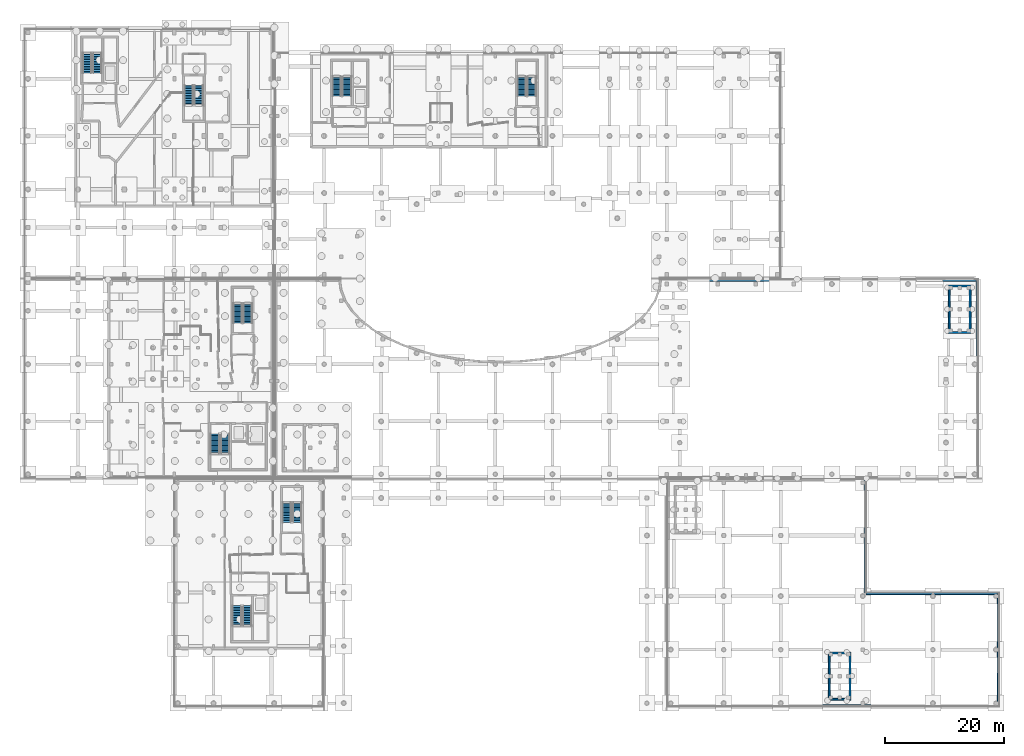
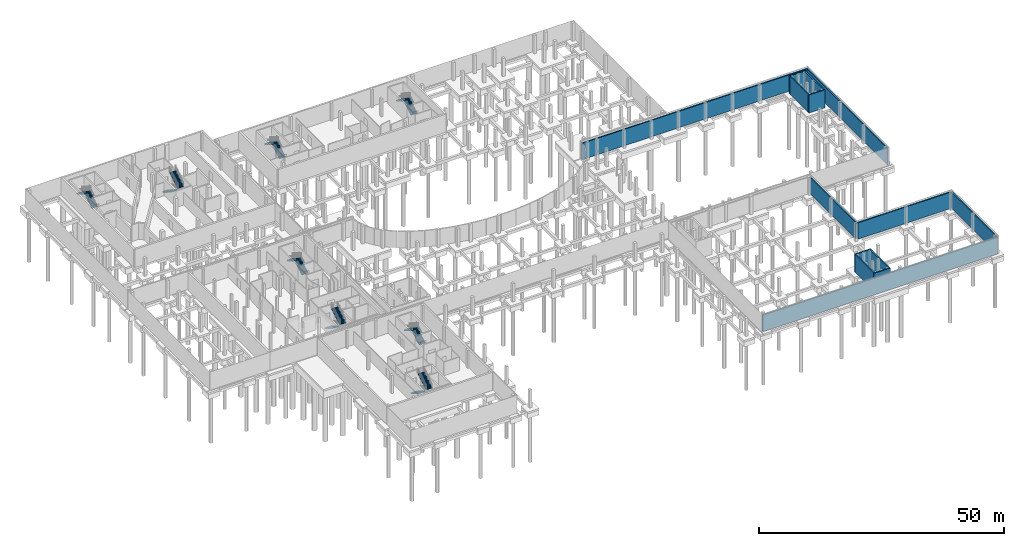
# One storey, part 26 of 40: 16 stair flights, 14 walls, 8 elements without a shape of their own.
"""IFC4 building model written with IfcOpenShell, lengths in metres."""

from ifc_helpers import new_model, si_unit, direction, frame, frame_2d, origin, place, context, subcontext, project, spatial, polyline, rectangle, outline, extrude, material, layer, layer_set, type_object, element, aggregate, save


model = new_model("IFC4")

# Units and contexts
model_context = context("Model", 3, precision=1e-05, world=origin(), true_north=direction((0.0, 1.0)))
body_context = subcontext(model_context, "Body", "Model", "MODEL_VIEW")
ifc_project = project(units=[si_unit("LENGTHUNIT", "METRE"), si_unit("AREAUNIT", "SQUARE_METRE"), si_unit("VOLUMEUNIT", "CUBIC_METRE"), si_unit("PLANEANGLEUNIT", "RADIAN"), si_unit("MASSUNIT", "GRAM", prefix="KILO")], contexts=[model_context])

# Site, building, storey
site_placement = place(None, origin())
site = spatial("IfcSite", under=ifc_project, at=site_placement, CompositionType="ELEMENT")
building_placement = place(site_placement, origin())
building = spatial("IfcBuilding", under=site, at=building_placement, Name="Mzevani Central Library", CompositionType="ELEMENT")
storey_placement = place(building_placement, frame((0.0, 0.0, -4.5)))
storey = spatial("IfcBuildingStorey", under=building, at=storey_placement, Name="B1", CompositionType="ELEMENT", Elevation=-4.5)

# Walls
ifc_material_1 = material(Name="Concrete C40/50", Category="concrete")
ifc_layer_1 = layer(ifc_material_1, 0.300048828125, Name="Core Shear Wall 300")
ifc_layer_set_1 = layer_set([ifc_layer_1], Name="Concrete C40/50")
wall_type_1 = type_object("IfcWallType", Name="Core Shear Wall 300", PredefinedType="SHEAR", material=ifc_layer_set_1)
wall_1_placement = place(storey_placement, frame((163.199951171875, 66.949951171875, 0.0), z_axis=(0.0, 0.0, 1.0), x_axis=(-1.0, 0.0, 0.0)))
element("IfcWall", 1, at=wall_1_placement, inside=storey, type_object=wall_type_1, Name="B1 Core C1B Reading Hall East Foundation Core Wall (-y)", PredefinedType="SHEAR", context=body_context, shape_type="SweptSolid", body=[
    extrude(rectangle(XDim=3.800048828125, YDim=0.300048828125, at=frame_2d((1.89990234375, 0.0))), origin(), (0.0, 0.0, 1.0), 4.5),
])
wall_2_placement = place(storey_placement, frame((159.550048828125, 66.800048828125, 0.0), z_axis=(0.0, 0.0, 1.0), x_axis=(0.0, 1.0, 0.0)))
element("IfcWall", 2, at=wall_2_placement, inside=storey, type_object=wall_type_1, Name="B1 Core C1B Reading Hall East Foundation Core Wall (-x)", PredefinedType="SHEAR", context=body_context, shape_type="SweptSolid", body=[
    extrude(rectangle(XDim=8.099853515625, YDim=0.300048828125, at=frame_2d((4.0498046875, 0.0))), origin(), (0.0, 0.0, 1.0), 4.5),
])
wall_3_placement = place(storey_placement, frame((159.39990234375, 74.75, 0.0), z_axis=(0.0, 0.0, 1.0), x_axis=(1.0, 0.0, 0.0)))
element("IfcWall", 3, at=wall_3_placement, inside=storey, type_object=wall_type_1, Name="B1 Core C1B Reading Hall East Foundation Core Wall (+y)", PredefinedType="SHEAR", context=body_context, shape_type="SweptSolid", body=[
    extrude(rectangle(XDim=3.800048828125, YDim=0.300048828125, at=frame_2d((1.89990234375, 0.0))), origin(), (0.0, 0.0, 1.0), 4.5),
])
wall_4_placement = place(storey_placement, frame((163.050048828125, 74.89990234375, 0.0), z_axis=(0.0, 0.0, 1.0), x_axis=(0.0, -1.0, 0.0)))
element("IfcWall", 4, at=wall_4_placement, inside=storey, type_object=wall_type_1, Name="B1 Core C1B Reading Hall East Foundation Core Wall (+x)", PredefinedType="SHEAR", context=body_context, shape_type="SweptSolid", body=[
    extrude(rectangle(XDim=8.099853515625, YDim=0.300048828125, at=frame_2d((4.0498046875, 0.0))), origin(), (0.0, 0.0, 1.0), 4.5),
])
wall_5_placement = place(storey_placement, frame((143.0, 5.25, 0.0), z_axis=(0.0, 0.0, 1.0), x_axis=(-1.0, 0.0, 0.0)))
element("IfcWall", 5, at=wall_5_placement, inside=storey, type_object=wall_type_1, Name="B1 Core C6B Children's Pavilion East Stair Foundation Core Wall (-y)", PredefinedType="SHEAR", context=body_context, shape_type="SweptSolid", body=[
    extrude(rectangle(XDim=3.800048828125, YDim=0.300048828125, at=frame_2d((1.89990234375, 0.0))), origin(), (0.0, 0.0, 1.0), 4.5),
])
wall_6_placement = place(storey_placement, frame((139.35009765625, 5.10009765625, 0.0), z_axis=(0.0, 0.0, 1.0), x_axis=(0.0, 1.0, 0.0)))
element("IfcWall", 6, at=wall_6_placement, inside=storey, type_object=wall_type_1, Name="B1 Core C6B Children's Pavilion East Stair Foundation Core Wall (-x)", PredefinedType="SHEAR", context=body_context, shape_type="SweptSolid", body=[
    extrude(rectangle(XDim=8.099853515625, YDim=0.300048828125, at=frame_2d((4.0498046875, 0.0))), origin(), (0.0, 0.0, 1.0), 4.5),
])
wall_7_placement = place(storey_placement, frame((139.199951171875, 13.050048828125, 0.0), z_axis=(0.0, 0.0, 1.0), x_axis=(1.0, 0.0, 0.0)))
element("IfcWall", 7, at=wall_7_placement, inside=storey, type_object=wall_type_1, Name="B1 Core C6B Children's Pavilion East Stair Foundation Core Wall (+y)", PredefinedType="SHEAR", context=body_context, shape_type="SweptSolid", body=[
    extrude(rectangle(XDim=3.800048828125, YDim=0.300048828125, at=frame_2d((1.89990234375, 0.0))), origin(), (0.0, 0.0, 1.0), 4.5),
])
wall_8_placement = place(storey_placement, frame((142.85009765625, 13.199951171875, 0.0), z_axis=(0.0, 0.0, 1.0), x_axis=(0.0, -1.0, 0.0)))
element("IfcWall", 8, at=wall_8_placement, inside=storey, type_object=wall_type_1, Name="B1 Core C6B Children's Pavilion East Stair Foundation Core Wall (+x)", PredefinedType="SHEAR", context=body_context, shape_type="SweptSolid", body=[
    extrude(rectangle(XDim=8.099853515625, YDim=0.300048828125, at=frame_2d((4.0498046875, 0.0))), origin(), (0.0, 0.0, 1.0), 4.5),
])
ifc_material_2 = material(Name="Precast concrete C40/50", Category="concrete")
ifc_layer_2 = layer(ifc_material_2, 0.280029296875, Name="Court Spandrel Wall 280")
ifc_layer_set_2 = layer_set([ifc_layer_2], Name="Precast concrete C40/50")
wall_type_2 = type_object("IfcWallType", Name="Court Spandrel Wall 280", PredefinedType="STANDARD", material=ifc_layer_set_2)
wall_9_placement = place(storey_placement, frame((164.18994140625, 75.68994140625, 0.0), z_axis=(0.0, 0.0, 1.0), x_axis=(0.0, -1.0, 0.0)))
element("IfcWall", 9, at=wall_9_placement, inside=storey, type_object=wall_type_2, Name="B1 V1 Perimeter Plinth Wall (6)", PredefinedType="STANDARD", context=body_context, shape_type="SweptSolid", body=[
    extrude(rectangle(XDim=32.97998046875, YDim=0.280029296875, at=frame_2d((16.489990234375, 0.0))), origin(), (0.0, 0.0, 1.0), 4.10009765625),
])
wall_10_placement = place(storey_placement, frame((110.972412109375, 75.68994140625, 0.0), z_axis=(0.0, 0.0, 1.0), x_axis=(1.0, 0.0, 0.0)))
element("IfcWall", 10, at=wall_10_placement, inside=storey, type_object=wall_type_2, Name="B1 V1 Perimeter Plinth Wall (34)", PredefinedType="STANDARD", context=body_context, shape_type="SweptSolid", body=[
    extrude(rectangle(XDim=53.217529296875, YDim=0.280029296875, at=frame_2d((26.60888671875, 0.0))), origin(), (0.0, 0.0, 1.0), 4.10009765625),
])
wall_11_placement = place(storey_placement, frame((167.7900390625, 22.989990234375, 0.0), z_axis=(0.0, 0.0, 1.0), x_axis=(0.0, -1.0, 0.0)))
element("IfcWall", 11, at=wall_11_placement, inside=storey, type_object=wall_type_2, Name="B1 V6 Perimeter Plinth Wall (74)", PredefinedType="STANDARD", context=body_context, shape_type="SweptSolid", body=[
    extrude(rectangle(XDim=18.780029296875, YDim=0.280029296875, at=frame_2d((9.39013671875, 0.0))), origin(), (0.0, 0.0, 1.0), 4.10009765625),
])
wall_12_placement = place(storey_placement, frame((167.7900390625, 4.2099609375, 0.0), z_axis=(0.0, 0.0, 1.0), x_axis=(-1.0, 0.0, 0.0)))
element("IfcWall", 12, at=wall_12_placement, inside=storey, type_object=wall_type_2, Name="B1 V6 Perimeter Plinth Wall (75)", PredefinedType="STANDARD", context=body_context, shape_type="SweptSolid", body=[
    extrude(rectangle(XDim=55.47998046875, YDim=0.280029296875, at=frame_2d((27.739990234375, 0.0))), origin(), (0.0, 0.0, 1.0), 4.10009765625),
])
wall_13_placement = place(storey_placement, frame((145.389892578125, 42.090087890625, 0.0), z_axis=(0.0, 0.0, 1.0), x_axis=(0.0, -1.0, 0.0)))
element("IfcWall", 13, at=wall_13_placement, inside=storey, type_object=wall_type_2, Name="B1 V6 Perimeter Plinth Wall (78)", PredefinedType="STANDARD", context=body_context, shape_type="SweptSolid", body=[
    extrude(rectangle(XDim=18.89013671875, YDim=0.280029296875, at=frame_2d((9.445068359375, 0.0))), origin(), (0.0, 0.0, 1.0), 4.10009765625),
])
wall_14_placement = place(storey_placement, frame((145.60009765625, 22.989990234375, 0.0), z_axis=(0.0, 0.0, 1.0), x_axis=(1.0, 0.0, 0.0)))
element("IfcWall", 14, at=wall_14_placement, inside=storey, type_object=wall_type_2, Name="B1 V6 Perimeter Plinth Wall (79)", PredefinedType="STANDARD", context=body_context, shape_type="SweptSolid", body=[
    extrude(rectangle(XDim=22.18994140625, YDim=0.280029296875, at=frame_2d((11.094970703125, 0.0))), origin(), (0.0, 0.0, 1.0), 4.10009765625),
])

# Stair, stair flights
ifc_material_3 = material(Name="Concrete C35/45", Category="concrete")
stair_type = type_object("IfcStairType", Name="Dogleg Exit Stair 173x280", PredefinedType="HALF_TURN_STAIR", material=ifc_material_3)
stair_1_placement = place(storey_placement, origin())
stair_1 = element("IfcStair", 15, at=stair_1_placement, inside=storey, type_object=stair_type, Name="B1 Core C2A North-West Firefighting Core Exit Stair ST-03", PredefinedType="HALF_TURN_STAIR")
stair_flight_type = type_object("IfcStairFlightType", Name="Reinforced Concrete Stair Flight 173x280", PredefinedType="STRAIGHT", material=ifc_material_3)
stair_flight_1_placement = place(storey_placement, frame((16.25, 110.60009765625, 0.0), z_axis=(0.0, 0.0, 1.0), x_axis=(0.0, 1.0, 0.0)))
stair_flight_1 = element("IfcStairFlight", 16, at=stair_flight_1_placement, type_object=stair_flight_type, Name="ST-03 flight 1", NumberOfRisers=13, NumberOfTreads=12, PredefinedType="STRAIGHT", RiserHeight=0.173076923, TreadLength=0.28, context=body_context, shape_type="SweptSolid", body=[
    extrude(outline(polyline([(0.0, 0.0), (0.0, 0.173095703125), (0.280029296875, 0.173095703125), (0.280029296875, 0.34619140625), (0.56005859375, 0.34619140625), (0.56005859375, 0.519287109375), (0.840087890625, 0.519287109375), (0.840087890625, 0.6923828125), (1.1201171875, 0.6923828125), (1.1201171875, 0.865478515625), (1.39990234375, 0.865478515625), (1.39990234375, 1.03857421875), (1.679931640625, 1.03857421875), (1.679931640625, 1.21142578125), (1.9599609375, 1.21142578125), (1.9599609375, 1.384521484375), (2.239990234375, 1.384521484375), (2.239990234375, 1.5576171875), (2.52001953125, 1.5576171875), (2.52001953125, 1.730712890625), (2.800048828125, 1.730712890625), (2.800048828125, 1.90380859375), (3.080078125, 1.90380859375), (3.080078125, 2.076904296875), (3.360107421875, 2.076904296875), (3.360107421875, 2.25), (3.360107421875, 1.888916015625), (0.30419921875, 0.0), (0.0, 0.0)])), frame((0.0, 0.75, 0.0), z_axis=(0.0, -1.0, 0.0), x_axis=(1.0, 0.0, 0.0)), (0.0, 0.0, 1.0), 1.5),
])
stair_flight_2_placement = place(storey_placement, frame((14.550048828125, 113.9599609375, 2.25), z_axis=(0.0, 0.0, 1.0), x_axis=(0.0, -1.0, 0.0)))
stair_flight_2 = element("IfcStairFlight", 17, at=stair_flight_2_placement, type_object=stair_flight_type, Name="ST-03 flight 2", NumberOfRisers=13, NumberOfTreads=12, PredefinedType="STRAIGHT", RiserHeight=0.173076923, TreadLength=0.28, context=body_context, shape_type="SweptSolid", body=[
    extrude(outline(polyline([(0.0, 0.0), (0.0, 0.173095703125), (0.280029296875, 0.173095703125), (0.280029296875, 0.34619140625), (0.56005859375, 0.34619140625), (0.56005859375, 0.519287109375), (0.840087890625, 0.519287109375), (0.840087890625, 0.6923828125), (1.1201171875, 0.6923828125), (1.1201171875, 0.865478515625), (1.39990234375, 0.865478515625), (1.39990234375, 1.03857421875), (1.679931640625, 1.03857421875), (1.679931640625, 1.21142578125), (1.9599609375, 1.21142578125), (1.9599609375, 1.384521484375), (2.239990234375, 1.384521484375), (2.239990234375, 1.5576171875), (2.52001953125, 1.5576171875), (2.52001953125, 1.730712890625), (2.800048828125, 1.730712890625), (2.800048828125, 1.90380859375), (3.080078125, 1.90380859375), (3.080078125, 2.076904296875), (3.360107421875, 2.076904296875), (3.360107421875, 2.25), (3.360107421875, 1.888916015625), (0.30419921875, 0.0), (0.0, 0.0)])), frame((0.0, 0.75, 0.0), z_axis=(0.0, -1.0, 0.0), x_axis=(1.0, 0.0, 0.0)), (0.0, 0.0, 1.0), 1.5),
])
aggregate(stair_1, [stair_flight_1, stair_flight_2])

stair_2_placement = place(storey_placement, origin())
stair_2 = element("IfcStair", 18, at=stair_2_placement, inside=storey, type_object=stair_type, Name="B1 Core C2B Stacks East Escape Stair Exit Stair ST-03", PredefinedType="HALF_TURN_STAIR")
stair_flight_3_placement = place(storey_placement, frame((31.64990234375, 108.5, 0.0), z_axis=(0.0, 0.0, 1.0), x_axis=(0.0, -1.0, 0.0)))
stair_flight_3 = element("IfcStairFlight", 19, at=stair_flight_3_placement, type_object=stair_flight_type, Name="ST-04 flight 1", NumberOfRisers=13, NumberOfTreads=12, PredefinedType="STRAIGHT", RiserHeight=0.173076923, TreadLength=0.28, context=body_context, shape_type="SweptSolid", body=[
    extrude(outline(polyline([(0.0, 0.0), (0.0, 0.173095703125), (0.280029296875, 0.173095703125), (0.280029296875, 0.34619140625), (0.56005859375, 0.34619140625), (0.56005859375, 0.519287109375), (0.840087890625, 0.519287109375), (0.840087890625, 0.6923828125), (1.1201171875, 0.6923828125), (1.1201171875, 0.865478515625), (1.39990234375, 0.865478515625), (1.39990234375, 1.03857421875), (1.679931640625, 1.03857421875), (1.679931640625, 1.21142578125), (1.9599609375, 1.21142578125), (1.9599609375, 1.384521484375), (2.239990234375, 1.384521484375), (2.239990234375, 1.5576171875), (2.52001953125, 1.5576171875), (2.52001953125, 1.730712890625), (2.800048828125, 1.730712890625), (2.800048828125, 1.90380859375), (3.080078125, 1.90380859375), (3.080078125, 2.076904296875), (3.360107421875, 2.076904296875), (3.360107421875, 2.25), (3.360107421875, 1.888916015625), (0.30419921875, 0.0), (0.0, 0.0)])), frame((0.0, 0.75, 0.0), z_axis=(0.0, -1.0, 0.0), x_axis=(1.0, 0.0, 0.0)), (0.0, 0.0, 1.0), 1.5),
])
stair_flight_4_placement = place(storey_placement, frame((33.35009765625, 105.139892578125, 2.25), z_axis=(0.0, 0.0, 1.0), x_axis=(0.0, 1.0, 0.0)))
stair_flight_4 = element("IfcStairFlight", 20, at=stair_flight_4_placement, type_object=stair_flight_type, Name="ST-04 flight 2", NumberOfRisers=13, NumberOfTreads=12, PredefinedType="STRAIGHT", RiserHeight=0.173076923, TreadLength=0.28, context=body_context, shape_type="SweptSolid", body=[
    extrude(outline(polyline([(0.0, 0.0), (0.0, 0.173095703125), (0.280029296875, 0.173095703125), (0.280029296875, 0.34619140625), (0.56005859375, 0.34619140625), (0.56005859375, 0.519287109375), (0.840087890625, 0.519287109375), (0.840087890625, 0.6923828125), (1.1201171875, 0.6923828125), (1.1201171875, 0.865478515625), (1.39990234375, 0.865478515625), (1.39990234375, 1.03857421875), (1.679931640625, 1.03857421875), (1.679931640625, 1.21142578125), (1.9599609375, 1.21142578125), (1.9599609375, 1.384521484375), (2.239990234375, 1.384521484375), (2.239990234375, 1.5576171875), (2.52001953125, 1.5576171875), (2.52001953125, 1.730712890625), (2.800048828125, 1.730712890625), (2.800048828125, 1.90380859375), (3.080078125, 1.90380859375), (3.080078125, 2.076904296875), (3.360107421875, 2.076904296875), (3.360107421875, 2.25), (3.360107421875, 1.888916015625), (0.30419921875, 0.0), (0.0, 0.0)])), frame((0.0, 0.75, 0.0), z_axis=(0.0, -1.0, 0.0), x_axis=(1.0, 0.0, 0.0)), (0.0, 0.0, 1.0), 1.5),
])
aggregate(stair_2, [stair_flight_3, stair_flight_4])

stair_3_placement = place(storey_placement, origin())
stair_3 = element("IfcStair", 21, at=stair_3_placement, inside=storey, type_object=stair_type, Name="B1 Core C3A North-East Firefighting Core Exit Stair ST-03", PredefinedType="HALF_TURN_STAIR")
stair_flight_5_placement = place(storey_placement, frame((58.25, 106.699951171875, 0.0), z_axis=(0.0, 0.0, 1.0), x_axis=(0.0, 1.0, 0.0)))
stair_flight_5 = element("IfcStairFlight", 22, at=stair_flight_5_placement, type_object=stair_flight_type, Name="ST-05 flight 1", NumberOfRisers=13, NumberOfTreads=12, PredefinedType="STRAIGHT", RiserHeight=0.173076923, TreadLength=0.28, context=body_context, shape_type="SweptSolid", body=[
    extrude(outline(polyline([(0.0, 0.0), (0.0, 0.173095703125), (0.280029296875, 0.173095703125), (0.280029296875, 0.34619140625), (0.56005859375, 0.34619140625), (0.56005859375, 0.519287109375), (0.840087890625, 0.519287109375), (0.840087890625, 0.6923828125), (1.1201171875, 0.6923828125), (1.1201171875, 0.865478515625), (1.39990234375, 0.865478515625), (1.39990234375, 1.03857421875), (1.679931640625, 1.03857421875), (1.679931640625, 1.21142578125), (1.9599609375, 1.21142578125), (1.9599609375, 1.384521484375), (2.239990234375, 1.384521484375), (2.239990234375, 1.5576171875), (2.52001953125, 1.5576171875), (2.52001953125, 1.730712890625), (2.800048828125, 1.730712890625), (2.800048828125, 1.90380859375), (3.080078125, 1.90380859375), (3.080078125, 2.076904296875), (3.360107421875, 2.076904296875), (3.360107421875, 2.25), (3.360107421875, 1.888916015625), (0.30419921875, 0.0), (0.0, 0.0)])), frame((0.0, 0.75, 0.0), z_axis=(0.0, -1.0, 0.0), x_axis=(1.0, 0.0, 0.0)), (0.0, 0.0, 1.0), 1.5),
])
stair_flight_6_placement = place(storey_placement, frame((56.550048828125, 110.06005859375, 2.25), z_axis=(0.0, 0.0, 1.0), x_axis=(0.0, -1.0, 0.0)))
stair_flight_6 = element("IfcStairFlight", 23, at=stair_flight_6_placement, type_object=stair_flight_type, Name="ST-05 flight 2", NumberOfRisers=13, NumberOfTreads=12, PredefinedType="STRAIGHT", RiserHeight=0.173076923, TreadLength=0.28, context=body_context, shape_type="SweptSolid", body=[
    extrude(outline(polyline([(0.0, 0.0), (0.0, 0.173095703125), (0.280029296875, 0.173095703125), (0.280029296875, 0.34619140625), (0.56005859375, 0.34619140625), (0.56005859375, 0.519287109375), (0.840087890625, 0.519287109375), (0.840087890625, 0.6923828125), (1.1201171875, 0.6923828125), (1.1201171875, 0.865478515625), (1.39990234375, 0.865478515625), (1.39990234375, 1.03857421875), (1.679931640625, 1.03857421875), (1.679931640625, 1.21142578125), (1.9599609375, 1.21142578125), (1.9599609375, 1.384521484375), (2.239990234375, 1.384521484375), (2.239990234375, 1.5576171875), (2.52001953125, 1.5576171875), (2.52001953125, 1.730712890625), (2.800048828125, 1.730712890625), (2.800048828125, 1.90380859375), (3.080078125, 1.90380859375), (3.080078125, 2.076904296875), (3.360107421875, 2.076904296875), (3.360107421875, 2.25), (3.360107421875, 1.888916015625), (0.30419921875, 0.0), (0.0, 0.0)])), frame((0.0, 0.75, 0.0), z_axis=(0.0, -1.0, 0.0), x_axis=(1.0, 0.0, 0.0)), (0.0, 0.0, 1.0), 1.5),
])
aggregate(stair_3, [stair_flight_5, stair_flight_6])

stair_4_placement = place(storey_placement, origin())
stair_4 = element("IfcStair", 24, at=stair_4_placement, inside=storey, type_object=stair_type, Name="B1 Core C3B Atrium East Escape Stair Exit Stair ST-03", PredefinedType="HALF_TURN_STAIR")
stair_flight_7_placement = place(storey_placement, frame((89.35009765625, 106.699951171875, 0.0), z_axis=(0.0, 0.0, 1.0), x_axis=(0.0, 1.0, 0.0)))
stair_flight_7 = element("IfcStairFlight", 25, at=stair_flight_7_placement, type_object=stair_flight_type, Name="ST-06 flight 1", NumberOfRisers=13, NumberOfTreads=12, PredefinedType="STRAIGHT", RiserHeight=0.173076923, TreadLength=0.28, context=body_context, shape_type="SweptSolid", body=[
    extrude(outline(polyline([(0.0, 0.0), (0.0, 0.173095703125), (0.280029296875, 0.173095703125), (0.280029296875, 0.34619140625), (0.56005859375, 0.34619140625), (0.56005859375, 0.519287109375), (0.840087890625, 0.519287109375), (0.840087890625, 0.6923828125), (1.1201171875, 0.6923828125), (1.1201171875, 0.865478515625), (1.39990234375, 0.865478515625), (1.39990234375, 1.03857421875), (1.679931640625, 1.03857421875), (1.679931640625, 1.21142578125), (1.9599609375, 1.21142578125), (1.9599609375, 1.384521484375), (2.239990234375, 1.384521484375), (2.239990234375, 1.5576171875), (2.52001953125, 1.5576171875), (2.52001953125, 1.730712890625), (2.800048828125, 1.730712890625), (2.800048828125, 1.90380859375), (3.080078125, 1.90380859375), (3.080078125, 2.076904296875), (3.360107421875, 2.076904296875), (3.360107421875, 2.25), (3.360107421875, 1.888916015625), (0.30419921875, 0.0), (0.0, 0.0)])), frame((0.0, 0.75, 0.0), z_axis=(0.0, -1.0, 0.0), x_axis=(1.0, 0.0, 0.0)), (0.0, 0.0, 1.0), 1.5),
])
stair_flight_8_placement = place(storey_placement, frame((87.64990234375, 110.06005859375, 2.25), z_axis=(0.0, 0.0, 1.0), x_axis=(0.0, -1.0, 0.0)))
stair_flight_8 = element("IfcStairFlight", 26, at=stair_flight_8_placement, type_object=stair_flight_type, Name="ST-06 flight 2", NumberOfRisers=13, NumberOfTreads=12, PredefinedType="STRAIGHT", RiserHeight=0.173076923, TreadLength=0.28, context=body_context, shape_type="SweptSolid", body=[
    extrude(outline(polyline([(0.0, 0.0), (0.0, 0.173095703125), (0.280029296875, 0.173095703125), (0.280029296875, 0.34619140625), (0.56005859375, 0.34619140625), (0.56005859375, 0.519287109375), (0.840087890625, 0.519287109375), (0.840087890625, 0.6923828125), (1.1201171875, 0.6923828125), (1.1201171875, 0.865478515625), (1.39990234375, 0.865478515625), (1.39990234375, 1.03857421875), (1.679931640625, 1.03857421875), (1.679931640625, 1.21142578125), (1.9599609375, 1.21142578125), (1.9599609375, 1.384521484375), (2.239990234375, 1.384521484375), (2.239990234375, 1.5576171875), (2.52001953125, 1.5576171875), (2.52001953125, 1.730712890625), (2.800048828125, 1.730712890625), (2.800048828125, 1.90380859375), (3.080078125, 1.90380859375), (3.080078125, 2.076904296875), (3.360107421875, 2.076904296875), (3.360107421875, 2.25), (3.360107421875, 1.888916015625), (0.30419921875, 0.0), (0.0, 0.0)])), frame((0.0, 0.75, 0.0), z_axis=(0.0, -1.0, 0.0), x_axis=(1.0, 0.0, 0.0)), (0.0, 0.0, 1.0), 1.5),
])
aggregate(stair_4, [stair_flight_7, stair_flight_8])

stair_5_placement = place(storey_placement, origin())
stair_5 = element("IfcStair", 27, at=stair_5_placement, inside=storey, type_object=stair_type, Name="B1 Core C4A Cultural Wing Core Exit Stair ST-03", PredefinedType="HALF_TURN_STAIR")
stair_flight_9_placement = place(storey_placement, frame((39.75, 21.0, 0.0), z_axis=(0.0, 0.0, 1.0), x_axis=(0.0, -1.0, 0.0)))
stair_flight_9 = element("IfcStairFlight", 28, at=stair_flight_9_placement, type_object=stair_flight_type, Name="ST-07 flight 1", NumberOfRisers=13, NumberOfTreads=12, PredefinedType="STRAIGHT", RiserHeight=0.173076923, TreadLength=0.28, context=body_context, shape_type="SweptSolid", body=[
    extrude(outline(polyline([(0.0, 0.0), (0.0, 0.173095703125), (0.280029296875, 0.173095703125), (0.280029296875, 0.34619140625), (0.56005859375, 0.34619140625), (0.56005859375, 0.519287109375), (0.840087890625, 0.519287109375), (0.840087890625, 0.6923828125), (1.1201171875, 0.6923828125), (1.1201171875, 0.865478515625), (1.39990234375, 0.865478515625), (1.39990234375, 1.03857421875), (1.679931640625, 1.03857421875), (1.679931640625, 1.21142578125), (1.9599609375, 1.21142578125), (1.9599609375, 1.384521484375), (2.239990234375, 1.384521484375), (2.239990234375, 1.5576171875), (2.52001953125, 1.5576171875), (2.52001953125, 1.730712890625), (2.800048828125, 1.730712890625), (2.800048828125, 1.90380859375), (3.080078125, 1.90380859375), (3.080078125, 2.076904296875), (3.360107421875, 2.076904296875), (3.360107421875, 2.25), (3.360107421875, 1.888916015625), (0.30419921875, 0.0), (0.0, 0.0)])), frame((0.0, 0.75, 0.0), z_axis=(0.0, -1.0, 0.0), x_axis=(1.0, 0.0, 0.0)), (0.0, 0.0, 1.0), 1.5),
])
stair_flight_10_placement = place(storey_placement, frame((41.449951171875, 17.639892578125, 2.25), z_axis=(0.0, 0.0, 1.0), x_axis=(0.0, 1.0, 0.0)))
stair_flight_10 = element("IfcStairFlight", 29, at=stair_flight_10_placement, type_object=stair_flight_type, Name="ST-07 flight 2", NumberOfRisers=13, NumberOfTreads=12, PredefinedType="STRAIGHT", RiserHeight=0.173076923, TreadLength=0.28, context=body_context, shape_type="SweptSolid", body=[
    extrude(outline(polyline([(0.0, 0.0), (0.0, 0.173095703125), (0.280029296875, 0.173095703125), (0.280029296875, 0.34619140625), (0.56005859375, 0.34619140625), (0.56005859375, 0.519287109375), (0.840087890625, 0.519287109375), (0.840087890625, 0.6923828125), (1.1201171875, 0.6923828125), (1.1201171875, 0.865478515625), (1.39990234375, 0.865478515625), (1.39990234375, 1.03857421875), (1.679931640625, 1.03857421875), (1.679931640625, 1.21142578125), (1.9599609375, 1.21142578125), (1.9599609375, 1.384521484375), (2.239990234375, 1.384521484375), (2.239990234375, 1.5576171875), (2.52001953125, 1.5576171875), (2.52001953125, 1.730712890625), (2.800048828125, 1.730712890625), (2.800048828125, 1.90380859375), (3.080078125, 1.90380859375), (3.080078125, 2.076904296875), (3.360107421875, 2.076904296875), (3.360107421875, 2.25), (3.360107421875, 1.888916015625), (0.30419921875, 0.0), (0.0, 0.0)])), frame((0.0, 0.75, 0.0), z_axis=(0.0, -1.0, 0.0), x_axis=(1.0, 0.0, 0.0)), (0.0, 0.0, 1.0), 1.5),
])
aggregate(stair_5, [stair_flight_9, stair_flight_10])

stair_6_placement = place(storey_placement, origin())
stair_6 = element("IfcStair", 30, at=stair_6_placement, inside=storey, type_object=stair_type, Name="B1 Core C4B Square South Escape Stair Exit Stair ST-03", PredefinedType="HALF_TURN_STAIR")
stair_flight_11_placement = place(storey_placement, frame((49.85009765625, 35.0, 0.0), z_axis=(0.0, 0.0, 1.0), x_axis=(0.0, 1.0, 0.0)))
stair_flight_11 = element("IfcStairFlight", 31, at=stair_flight_11_placement, type_object=stair_flight_type, Name="ST-08 flight 1", NumberOfRisers=13, NumberOfTreads=12, PredefinedType="STRAIGHT", RiserHeight=0.173076923, TreadLength=0.28, context=body_context, shape_type="SweptSolid", body=[
    extrude(outline(polyline([(0.0, 0.0), (0.0, 0.173095703125), (0.280029296875, 0.173095703125), (0.280029296875, 0.34619140625), (0.56005859375, 0.34619140625), (0.56005859375, 0.519287109375), (0.840087890625, 0.519287109375), (0.840087890625, 0.6923828125), (1.1201171875, 0.6923828125), (1.1201171875, 0.865478515625), (1.39990234375, 0.865478515625), (1.39990234375, 1.03857421875), (1.679931640625, 1.03857421875), (1.679931640625, 1.21142578125), (1.9599609375, 1.21142578125), (1.9599609375, 1.384521484375), (2.239990234375, 1.384521484375), (2.239990234375, 1.5576171875), (2.52001953125, 1.5576171875), (2.52001953125, 1.730712890625), (2.800048828125, 1.730712890625), (2.800048828125, 1.90380859375), (3.080078125, 1.90380859375), (3.080078125, 2.076904296875), (3.360107421875, 2.076904296875), (3.360107421875, 2.25), (3.360107421875, 1.888916015625), (0.30419921875, 0.0), (0.0, 0.0)])), frame((0.0, 0.75, 0.0), z_axis=(0.0, -1.0, 0.0), x_axis=(1.0, 0.0, 0.0)), (0.0, 0.0, 1.0), 1.5),
])
stair_flight_12_placement = place(storey_placement, frame((48.14990234375, 38.360107421875, 2.25), z_axis=(0.0, 0.0, 1.0), x_axis=(0.0, -1.0, 0.0)))
stair_flight_12 = element("IfcStairFlight", 32, at=stair_flight_12_placement, type_object=stair_flight_type, Name="ST-08 flight 2", NumberOfRisers=13, NumberOfTreads=12, PredefinedType="STRAIGHT", RiserHeight=0.173076923, TreadLength=0.28, context=body_context, shape_type="SweptSolid", body=[
    extrude(outline(polyline([(0.0, 0.0), (0.0, 0.173095703125), (0.280029296875, 0.173095703125), (0.280029296875, 0.34619140625), (0.56005859375, 0.34619140625), (0.56005859375, 0.519287109375), (0.840087890625, 0.519287109375), (0.840087890625, 0.6923828125), (1.1201171875, 0.6923828125), (1.1201171875, 0.865478515625), (1.39990234375, 0.865478515625), (1.39990234375, 1.03857421875), (1.679931640625, 1.03857421875), (1.679931640625, 1.21142578125), (1.9599609375, 1.21142578125), (1.9599609375, 1.384521484375), (2.239990234375, 1.384521484375), (2.239990234375, 1.5576171875), (2.52001953125, 1.5576171875), (2.52001953125, 1.730712890625), (2.800048828125, 1.730712890625), (2.800048828125, 1.90380859375), (3.080078125, 1.90380859375), (3.080078125, 2.076904296875), (3.360107421875, 2.076904296875), (3.360107421875, 2.25), (3.360107421875, 1.888916015625), (0.30419921875, 0.0), (0.0, 0.0)])), frame((0.0, 0.75, 0.0), z_axis=(0.0, -1.0, 0.0), x_axis=(1.0, 0.0, 0.0)), (0.0, 0.0, 1.0), 1.5),
])
aggregate(stair_6, [stair_flight_11, stair_flight_12])

stair_7_placement = place(storey_placement, origin())
stair_7 = element("IfcStair", 33, at=stair_7_placement, inside=storey, type_object=stair_type, Name="B1 Core C5A Auditorium & Goods Core Exit Stair ST-03", PredefinedType="HALF_TURN_STAIR")
stair_flight_13_placement = place(storey_placement, frame((36.050048828125, 49.89990234375, 0.0), z_axis=(0.0, 0.0, 1.0), x_axis=(0.0, -1.0, 0.0)))
stair_flight_13 = element("IfcStairFlight", 34, at=stair_flight_13_placement, type_object=stair_flight_type, Name="ST-09 flight 1", NumberOfRisers=13, NumberOfTreads=12, PredefinedType="STRAIGHT", RiserHeight=0.173076923, TreadLength=0.28, context=body_context, shape_type="SweptSolid", body=[
    extrude(outline(polyline([(0.0, 0.0), (0.0, 0.173095703125), (0.280029296875, 0.173095703125), (0.280029296875, 0.34619140625), (0.56005859375, 0.34619140625), (0.56005859375, 0.519287109375), (0.840087890625, 0.519287109375), (0.840087890625, 0.6923828125), (1.1201171875, 0.6923828125), (1.1201171875, 0.865478515625), (1.39990234375, 0.865478515625), (1.39990234375, 1.03857421875), (1.679931640625, 1.03857421875), (1.679931640625, 1.21142578125), (1.9599609375, 1.21142578125), (1.9599609375, 1.384521484375), (2.239990234375, 1.384521484375), (2.239990234375, 1.5576171875), (2.52001953125, 1.5576171875), (2.52001953125, 1.730712890625), (2.800048828125, 1.730712890625), (2.800048828125, 1.90380859375), (3.080078125, 1.90380859375), (3.080078125, 2.076904296875), (3.360107421875, 2.076904296875), (3.360107421875, 2.25), (3.360107421875, 1.888916015625), (0.30419921875, 0.0), (0.0, 0.0)])), frame((0.0, 0.75, 0.0), z_axis=(0.0, -1.0, 0.0), x_axis=(1.0, 0.0, 0.0)), (0.0, 0.0, 1.0), 1.5),
])
stair_flight_14_placement = place(storey_placement, frame((37.75, 46.5400390625, 2.25), z_axis=(0.0, 0.0, 1.0), x_axis=(0.0, 1.0, 0.0)))
stair_flight_14 = element("IfcStairFlight", 35, at=stair_flight_14_placement, type_object=stair_flight_type, Name="ST-09 flight 2", NumberOfRisers=13, NumberOfTreads=12, PredefinedType="STRAIGHT", RiserHeight=0.173076923, TreadLength=0.28, context=body_context, shape_type="SweptSolid", body=[
    extrude(outline(polyline([(0.0, 0.0), (0.0, 0.173095703125), (0.280029296875, 0.173095703125), (0.280029296875, 0.34619140625), (0.56005859375, 0.34619140625), (0.56005859375, 0.519287109375), (0.840087890625, 0.519287109375), (0.840087890625, 0.6923828125), (1.1201171875, 0.6923828125), (1.1201171875, 0.865478515625), (1.39990234375, 0.865478515625), (1.39990234375, 1.03857421875), (1.679931640625, 1.03857421875), (1.679931640625, 1.21142578125), (1.9599609375, 1.21142578125), (1.9599609375, 1.384521484375), (2.239990234375, 1.384521484375), (2.239990234375, 1.5576171875), (2.52001953125, 1.5576171875), (2.52001953125, 1.730712890625), (2.800048828125, 1.730712890625), (2.800048828125, 1.90380859375), (3.080078125, 1.90380859375), (3.080078125, 2.076904296875), (3.360107421875, 2.076904296875), (3.360107421875, 2.25), (3.360107421875, 1.888916015625), (0.30419921875, 0.0), (0.0, 0.0)])), frame((0.0, 0.75, 0.0), z_axis=(0.0, -1.0, 0.0), x_axis=(1.0, 0.0, 0.0)), (0.0, 0.0, 1.0), 1.5),
])
aggregate(stair_7, [stair_flight_13, stair_flight_14])

stair_8_placement = place(storey_placement, origin())
stair_8 = element("IfcStair", 36, at=stair_8_placement, inside=storey, type_object=stair_type, Name="B1 Core C5B Lecture North Escape Stair Exit Stair ST-03", PredefinedType="HALF_TURN_STAIR")
stair_flight_15_placement = place(storey_placement, frame((41.550048828125, 68.5, 0.0), z_axis=(0.0, 0.0, 1.0), x_axis=(0.0, 1.0, 0.0)))
stair_flight_15 = element("IfcStairFlight", 37, at=stair_flight_15_placement, type_object=stair_flight_type, Name="ST-10 flight 1", NumberOfRisers=13, NumberOfTreads=12, PredefinedType="STRAIGHT", RiserHeight=0.173076923, TreadLength=0.28, context=body_context, shape_type="SweptSolid", body=[
    extrude(outline(polyline([(0.0, 0.0), (0.0, 0.173095703125), (0.280029296875, 0.173095703125), (0.280029296875, 0.34619140625), (0.56005859375, 0.34619140625), (0.56005859375, 0.519287109375), (0.840087890625, 0.519287109375), (0.840087890625, 0.6923828125), (1.1201171875, 0.6923828125), (1.1201171875, 0.865478515625), (1.39990234375, 0.865478515625), (1.39990234375, 1.03857421875), (1.679931640625, 1.03857421875), (1.679931640625, 1.21142578125), (1.9599609375, 1.21142578125), (1.9599609375, 1.384521484375), (2.239990234375, 1.384521484375), (2.239990234375, 1.5576171875), (2.52001953125, 1.5576171875), (2.52001953125, 1.730712890625), (2.800048828125, 1.730712890625), (2.800048828125, 1.90380859375), (3.080078125, 1.90380859375), (3.080078125, 2.076904296875), (3.360107421875, 2.076904296875), (3.360107421875, 2.25), (3.360107421875, 1.888916015625), (0.30419921875, 0.0), (0.0, 0.0)])), frame((0.0, 0.75, 0.0), z_axis=(0.0, -1.0, 0.0), x_axis=(1.0, 0.0, 0.0)), (0.0, 0.0, 1.0), 1.5),
])
stair_flight_16_placement = place(storey_placement, frame((39.85009765625, 71.860107421875, 2.25), z_axis=(0.0, 0.0, 1.0), x_axis=(0.0, -1.0, 0.0)))
stair_flight_16 = element("IfcStairFlight", 38, at=stair_flight_16_placement, type_object=stair_flight_type, Name="ST-10 flight 2", NumberOfRisers=13, NumberOfTreads=12, PredefinedType="STRAIGHT", RiserHeight=0.173076923, TreadLength=0.28, context=body_context, shape_type="SweptSolid", body=[
    extrude(outline(polyline([(0.0, 0.0), (0.0, 0.173095703125), (0.280029296875, 0.173095703125), (0.280029296875, 0.34619140625), (0.56005859375, 0.34619140625), (0.56005859375, 0.519287109375), (0.840087890625, 0.519287109375), (0.840087890625, 0.6923828125), (1.1201171875, 0.6923828125), (1.1201171875, 0.865478515625), (1.39990234375, 0.865478515625), (1.39990234375, 1.03857421875), (1.679931640625, 1.03857421875), (1.679931640625, 1.21142578125), (1.9599609375, 1.21142578125), (1.9599609375, 1.384521484375), (2.239990234375, 1.384521484375), (2.239990234375, 1.5576171875), (2.52001953125, 1.5576171875), (2.52001953125, 1.730712890625), (2.800048828125, 1.730712890625), (2.800048828125, 1.90380859375), (3.080078125, 1.90380859375), (3.080078125, 2.076904296875), (3.360107421875, 2.076904296875), (3.360107421875, 2.25), (3.360107421875, 1.888916015625), (0.30419921875, 0.0), (0.0, 0.0)])), frame((0.0, 0.75, 0.0), z_axis=(0.0, -1.0, 0.0), x_axis=(1.0, 0.0, 0.0)), (0.0, 0.0, 1.0), 1.5),
])
aggregate(stair_8, [stair_flight_15, stair_flight_16])

save(model, "model.ifc")
